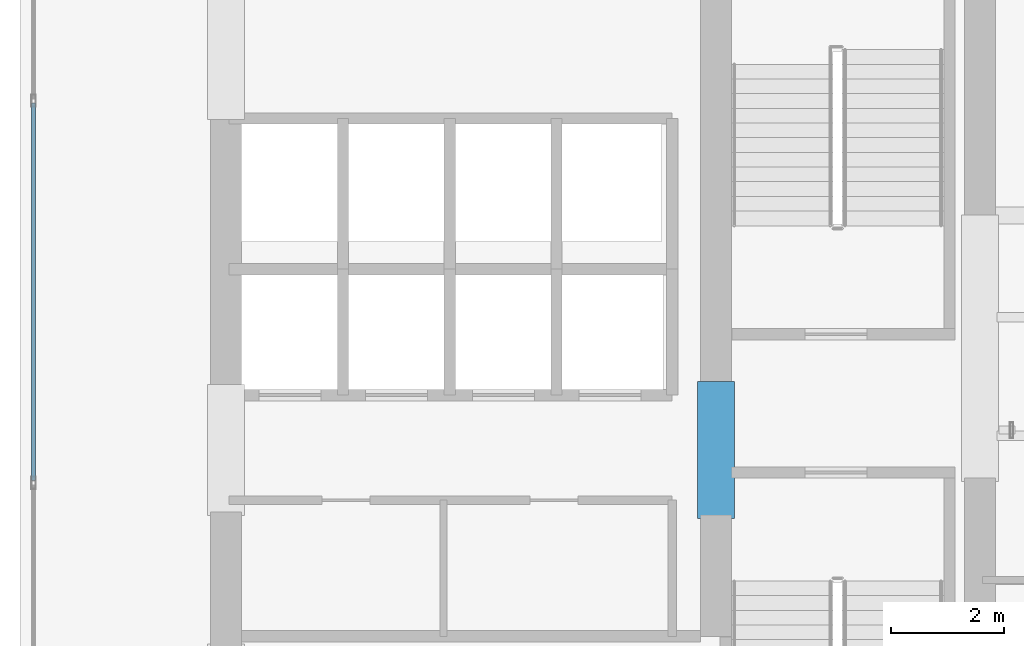
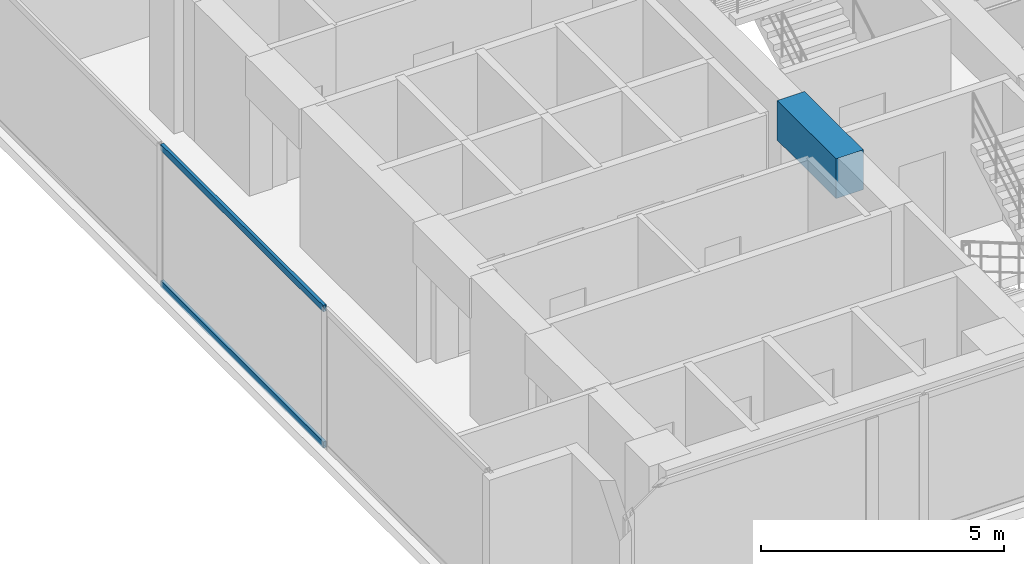
# One storey, part 3 of 22: 2 members, 1 beam, 1 element without a shape of its own.
"""IFC4 building model written with IfcOpenShell, lengths in metres."""

from ifc_helpers import new_model, si_unit, direction, frame, origin, origin_with_axes, origin_2d, place, context, subcontext, project, spatial, rectangle, hollow_rectangle, extrude, source, transform, mapped, material, layer, layer_set, material_profile, profile_set, type_object, element, aggregate, save


model = new_model("IFC4")

# Units and contexts
model_context = context("Model", 3, precision=1e-05, world=origin(), true_north=direction((0.0, 1.0)))
body_context = subcontext(model_context, "Body", "Model", "MODEL_VIEW")
ifc_project = project(units=[si_unit("LENGTHUNIT", "METRE"), si_unit("AREAUNIT", "SQUARE_METRE"), si_unit("VOLUMEUNIT", "CUBIC_METRE"), si_unit("PLANEANGLEUNIT", "RADIAN"), si_unit("MASSUNIT", "GRAM", prefix="KILO")], contexts=[model_context])

# Site, building, storey
site_placement = place(None, origin())
site = spatial("IfcSite", under=ifc_project, at=site_placement, CompositionType="ELEMENT")
building_placement = place(site_placement, origin())
building = spatial("IfcBuilding", under=site, at=building_placement, Name="Kolvaren Waterfront Exchange", CompositionType="ELEMENT")
storey_placement = place(building_placement, frame((0.0, 0.0, 219.699951171875)))
storey = spatial("IfcBuildingStorey", under=building, at=storey_placement, Name="L56", CompositionType="ELEMENT", Elevation=219.699951171875)

# Beam
ifc_material_1 = material(Name="Concrete C60/75", Category="concrete")
ifc_material_profile_1 = material_profile(ifc_material_1, rectangle(XDim=0.64990234375, YDim=1.0, at=origin_2d()), Name="RC-CB-1000x650")
ifc_profile_set_1 = profile_set([ifc_material_profile_1], Name="Concrete C60/75")
beam_type = type_object("IfcBeamType", Name="STR-CB-1000", PredefinedType="SPANDREL", material=ifc_profile_set_1)
beam_placement = place(storey_placement, frame((16.125, 12.0400390625, 3.0), z_axis=(0.0, 1.0, 0.0), x_axis=(-1.0, 0.0, 0.0)))
element("IfcBeam", 1, at=beam_placement, inside=storey, type_object=beam_type, Name="L56 core coupling beam 6", PredefinedType="SPANDREL", context=body_context, shape_type="SweptSolid", body=[
    extrude(rectangle(XDim=0.64990234375, YDim=1.0, at=origin_2d()), origin(), (0.0, 0.0, 1.0), 2.419921875),
])

# Curtain wall, members
ifc_material_2 = material(Name="Anodised aluminium 6063-T6", Category="aluminium")
ifc_layer = layer(ifc_material_2, 0.219970703125, Name="Anodised aluminium 6063-T6")
ifc_layer_set = layer_set([ifc_layer], Name="Anodised aluminium 6063-T6")
curtain_wall_type = type_object("IfcCurtainWallType", Name="ARC-CW-SYS2", PredefinedType="USERDEFINED", material=ifc_layer_set)
curtain_wall_placement = place(storey_placement, origin())
curtain_wall = element("IfcCurtainWall", 2, at=curtain_wall_placement, inside=storey, type_object=curtain_wall_type, Name="L56 stick curtain wall CW2 (CW-L56-W)", ObjectType="STICK CURTAIN WALL", PredefinedType="USERDEFINED")
ifc_material_profile_2 = material_profile(ifc_material_2, hollow_rectangle(XDim=0.074951171875, YDim=0.159912109375, WallThickness=0.00439453125, at=origin_2d()), Name="ALU-TRN-160x75x4.5")
ifc_profile_set_2 = profile_set([ifc_material_profile_2], Name="Anodised aluminium 6063-T6")
member_type = type_object("IfcMemberType", Name="ARC-CWT-160", PredefinedType="USERDEFINED", material=ifc_profile_set_2)
shared_shape = source(origin_with_axes(), body_context, "Body", "SweptSolid", [
    extrude(hollow_rectangle(XDim=0.074951171875, YDim=0.159912109375, WallThickness=0.00439453125, at=origin_2d()), origin(), (0.0, 0.0, 1.0), 6.6865234375),
])
member_1_placement = place(storey_placement, frame((4.0400390625, 12.706787109375, 0.03759765625), z_axis=(0.0, 1.0, 0.0), x_axis=(-1.0, 0.0, 0.0)))
member_1 = element("IfcMember", 3, at=member_1_placement, type_object=member_type, Name="CW2 transom 2.1", ObjectType="TRANSOM", PredefinedType="USERDEFINED", context=body_context, shape_type="MappedRepresentation", body=[
    mapped(shared_shape, transform((0.0, 0.0, 0.0), x_axis=(1.0, 0.0, 0.0), y_axis=(0.0, 1.0, 0.0), z_axis=(0.0, 0.0, 1.0), scale=1.0)),
])
member_2_placement = place(storey_placement, frame((4.0400390625, 12.706787109375, 3.462646484375), z_axis=(0.0, 1.0, 0.0), x_axis=(-1.0, 0.0, 0.0)))
member_2 = element("IfcMember", 4, at=member_2_placement, type_object=member_type, Name="CW2 transom 2.2", ObjectType="TRANSOM", PredefinedType="USERDEFINED", context=body_context, shape_type="MappedRepresentation", body=[
    mapped(shared_shape, transform((0.0, 0.0, 0.0), x_axis=(1.0, 0.0, 0.0), y_axis=(0.0, 1.0, 0.0), z_axis=(0.0, 0.0, 1.0), scale=1.0)),
])
aggregate(curtain_wall, [member_1, member_2])

save(model, "model.ifc")
